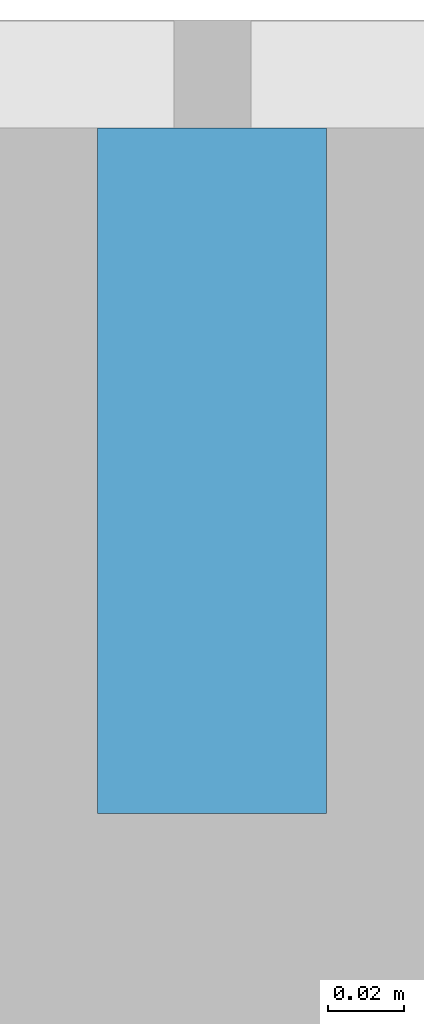
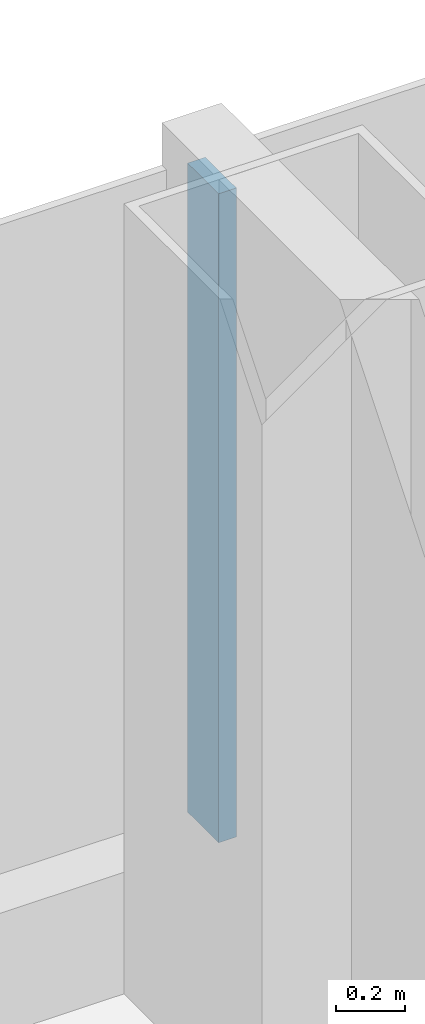
# One storey, part 10 of 29: 1 member, 1 element without a shape of its own.
"""IFC4 building model written with IfcOpenShell, lengths in metres."""

from ifc_helpers import new_model, si_unit, direction, frame, origin, origin_2d, place, context, subcontext, project, spatial, rectangle, extrude, material, layer, layer_set, material_profile, profile_set, type_object, element, aggregate, save


model = new_model("IFC4")

# Units and contexts
model_context = context("Model", 3, precision=1e-05, world=origin(), true_north=direction((0.0, 1.0)))
body_context = subcontext(model_context, "Body", "Model", "MODEL_VIEW")
ifc_project = project(units=[si_unit("LENGTHUNIT", "METRE"), si_unit("AREAUNIT", "SQUARE_METRE"), si_unit("VOLUMEUNIT", "CUBIC_METRE"), si_unit("PLANEANGLEUNIT", "RADIAN"), si_unit("MASSUNIT", "GRAM", prefix="KILO")], contexts=[model_context])

# Site, building, storey
site_placement = place(None, origin())
site = spatial("IfcSite", under=ifc_project, at=site_placement, CompositionType="ELEMENT")
building_placement = place(site_placement, origin())
building = spatial("IfcBuilding", under=site, at=building_placement, Name="Hakoniwa Tower and Hamabe Station Hall", CompositionType="ELEMENT")
storey_placement = place(building_placement, frame((0.0, 0.0, 113.800048828125)))
storey = spatial("IfcBuildingStorey", under=building, at=storey_placement, Name="L32", CompositionType="ELEMENT", Elevation=113.800048828125)

# Curtain wall, member
ifc_material_1 = material(Name="Dark low-e laminated glass", Category="glass")
ifc_layer = layer(ifc_material_1, 0.199951171875)
ifc_layer_set = layer_set([ifc_layer], Name="CW-1 UNITISED GUEST")
curtain_wall_type = type_object("IfcCurtainWallType", Name="CW-1 UNITISED GUEST", PredefinedType="NOTDEFINED", material=ifc_layer_set)
curtain_wall_placement = place(storey_placement, origin())
curtain_wall = element("IfcCurtainWall", 1, at=curtain_wall_placement, inside=storey, type_object=curtain_wall_type, Name="CW-1 curtain wall", PredefinedType="NOTDEFINED")
ifc_material_2 = material(Name="Aluminium 6063-T5 black anodised", Category="aluminium")
ifc_material_profile = material_profile(ifc_material_2, rectangle(XDim=0.06005859375, YDim=0.179931640625, at=origin_2d()), Name="CW-1 MULLION 60X180")
ifc_profile_set = profile_set([ifc_material_profile], Name="Aluminium 6063-T5 black anodised")
member_type = type_object("IfcMemberType", Name="CW-1 MULLION 60X180", PredefinedType="MULLION", material=ifc_profile_set)
member_placement = place(storey_placement, frame((8.39990234375, 23.431884765625, 0.349853515625), z_axis=(0.0, 0.0, 1.0), x_axis=(-1.0, 0.0, 0.0)))
member = element("IfcMember", 2, at=member_placement, type_object=member_type, Name="CW-1 mullion", PredefinedType="MULLION", context=body_context, shape_type="SweptSolid", body=[
    extrude(rectangle(XDim=0.06005859375, YDim=0.179931640625, at=origin_2d()), origin(), (0.0, 0.0, 1.0), 2.300048828125),
])
aggregate(curtain_wall, [member])

save(model, "model.ifc")
